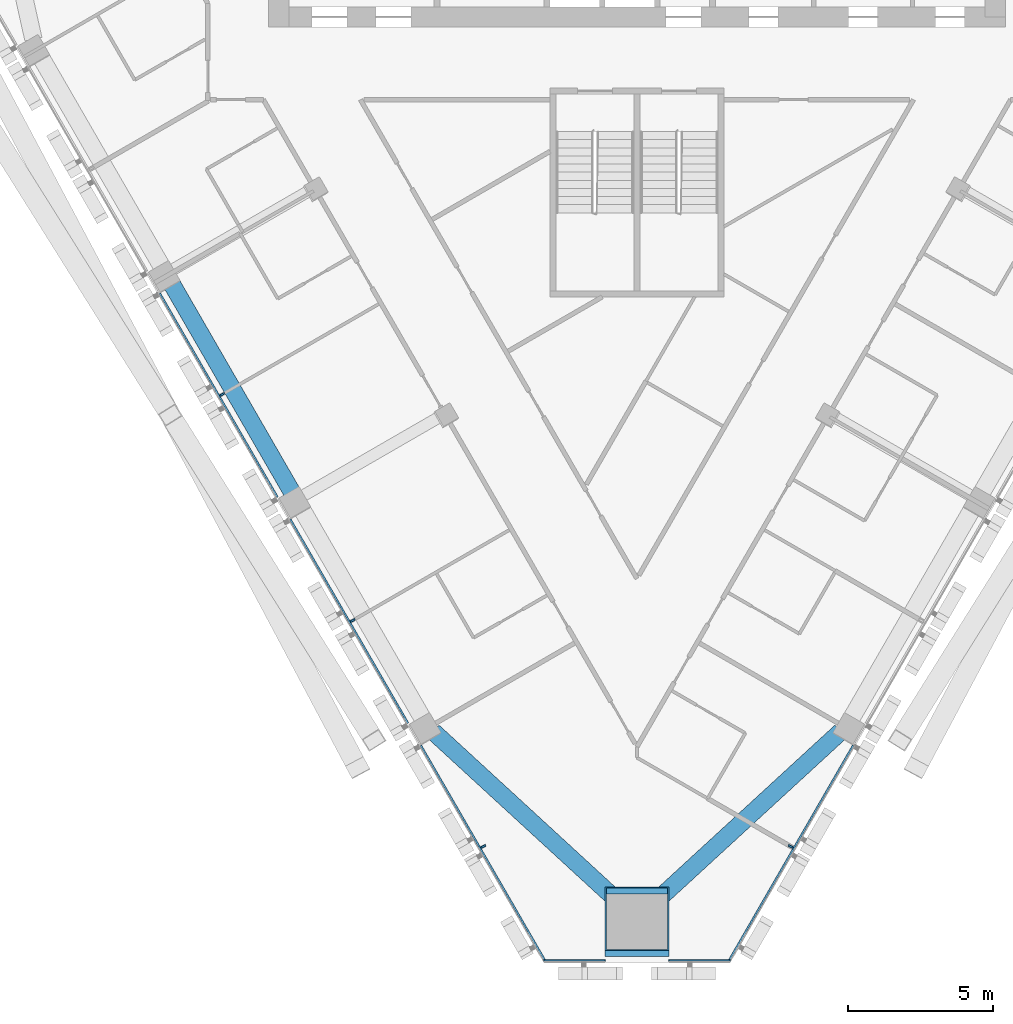
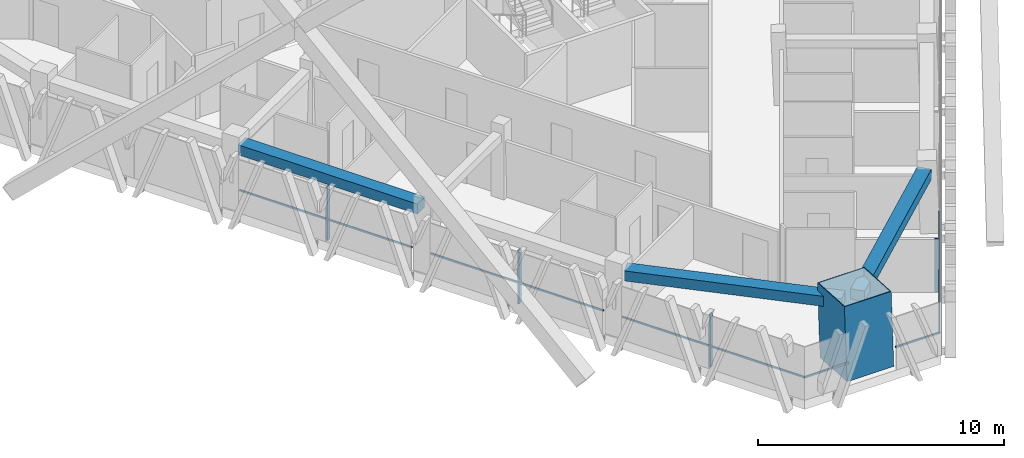
# One storey, part 2 of 17: 11 members, 3 beams, 3 elements without a shape of their own.
"""IFC4 building model written with IfcOpenShell, lengths in metres."""

from ifc_helpers import new_model, si_unit, direction, frame, origin, origin_2d, place, context, subcontext, project, spatial, rectangle, hollow_rectangle, extrude, material, layer, layer_set, material_profile, profile_set, type_object, element, aggregate, save


model = new_model("IFC4")

# Units and contexts
model_context = context("Model", 3, precision=1e-05, world=origin(), true_north=direction((0.0, 1.0)))
body_context = subcontext(model_context, "Body", "Model", "MODEL_VIEW")
ifc_project = project(units=[si_unit("LENGTHUNIT", "METRE"), si_unit("AREAUNIT", "SQUARE_METRE"), si_unit("VOLUMEUNIT", "CUBIC_METRE"), si_unit("PLANEANGLEUNIT", "RADIAN"), si_unit("MASSUNIT", "GRAM", prefix="KILO")], contexts=[model_context])

# Site, building, storey
site_placement = place(None, origin())
site = spatial("IfcSite", under=ifc_project, at=site_placement, CompositionType="ELEMENT")
building_placement = place(site_placement, origin())
building = spatial("IfcBuilding", under=site, at=building_placement, Name="Altiplano Prism Tower", CompositionType="ELEMENT")
storey_placement = place(building_placement, frame((0.0, 0.0, 194.39990234375)))
storey = spatial("IfcBuildingStorey", under=building, at=storey_placement, Name="L50", CompositionType="ELEMENT", Elevation=194.39990234375)

# Curtain wall, members
ifc_material_1 = material(Name="Aluminium and glass", Category="aluminium")
ifc_layer = layer(ifc_material_1, 0.280029296875)
ifc_layer_set = layer_set([ifc_layer], Name="Aluminium and glass")
curtain_wall_type = type_object("IfcCurtainWallType", Name="CW1 typical co-living unitised curtain wall", PredefinedType="NOTDEFINED", material=ifc_layer_set)
curtain_wall_1_placement = place(storey_placement, origin())
curtain_wall_1 = element("IfcCurtainWall", 1, at=curtain_wall_1_placement, inside=storey, type_object=curtain_wall_type, Name="CW1 curtain wall south-west face L50", PredefinedType="NOTDEFINED")
ifc_material_2 = material(Name="Aluminium", Category="aluminium")
ifc_material_profile_1 = material_profile(ifc_material_2, rectangle(XDim=0.179931640625, YDim=0.06494140625, at=origin_2d()), Name="CW1 mullion 65 x 180")
ifc_profile_set_1 = profile_set([ifc_material_profile_1], Name="Aluminium")
member_type_1 = type_object("IfcMemberType", Name="CW1 mullion 65 x 180", PredefinedType="MULLION", material=ifc_profile_set_1)
member_1_placement = place(storey_placement, frame((70.697509765625, 80.037353515625, 0.0), z_axis=(0.0, 0.0, 1.0), x_axis=(0.866025410146, 0.499999988981, 0.0)))
member_1 = element("IfcMember", 2, at=member_1_placement, type_object=member_type_1, Name="CW1 mullion", PredefinedType="MULLION", context=body_context, shape_type="SweptSolid", body=[
    extrude(rectangle(XDim=0.179931640625, YDim=0.06494140625, at=origin_2d()), origin(), (0.0, 0.0, 1.0), 2.650146484375),
])
member_2_placement = place(storey_placement, frame((75.197509765625, 72.2431640625, 0.0), z_axis=(0.0, 0.0, 1.0), x_axis=(0.866025410146, 0.499999988981, 0.0)))
member_2 = element("IfcMember", 3, at=member_2_placement, type_object=member_type_1, Name="CW1 mullion", PredefinedType="MULLION", context=body_context, shape_type="SweptSolid", body=[
    extrude(rectangle(XDim=0.179931640625, YDim=0.06494140625, at=origin_2d()), origin(), (0.0, 0.0, 1.0), 2.650146484375),
])
member_3_placement = place(storey_placement, frame((79.697509765625, 64.448974609375, 0.0), z_axis=(0.0, 0.0, 1.0), x_axis=(0.866025410146, 0.499999988981, 0.0)))
member_3 = element("IfcMember", 4, at=member_3_placement, type_object=member_type_1, Name="CW1 mullion", PredefinedType="MULLION", context=body_context, shape_type="SweptSolid", body=[
    extrude(rectangle(XDim=0.179931640625, YDim=0.06494140625, at=origin_2d()), origin(), (0.0, 0.0, 1.0), 2.650146484375),
])

# Curtain wall, member
curtain_wall_2_placement = place(storey_placement, origin())
curtain_wall_2 = element("IfcCurtainWall", 5, at=curtain_wall_2_placement, inside=storey, type_object=curtain_wall_type, Name="CW1 curtain wall south-east face L50", PredefinedType="NOTDEFINED")
member_4_placement = place(storey_placement, frame((90.302490234375, 64.448974609375, 0.0), z_axis=(0.0, 0.0, 1.0), x_axis=(-0.866025410146, 0.499999988981, 0.0)))
member_4 = element("IfcMember", 6, at=member_4_placement, type_object=member_type_1, Name="CW1 mullion", PredefinedType="MULLION", context=body_context, shape_type="SweptSolid", body=[
    extrude(rectangle(XDim=0.179931640625, YDim=0.06494140625, at=origin_2d()), origin(), (0.0, 0.0, 1.0), 2.650146484375),
])

# Member
ifc_material_profile_2 = material_profile(ifc_material_2, rectangle(XDim=0.06005859375, YDim=0.080078125, at=origin_2d()), Name="CW1 transom 80 x 60")
ifc_profile_set_2 = profile_set([ifc_material_profile_2], Name="Aluminium")
member_type_2 = type_object("IfcMemberType", Name="CW1 transom 80 x 60", PredefinedType="USERDEFINED", material=ifc_profile_set_2)
member_5_placement = place(storey_placement, frame((68.543701171875, 83.528076171875, 1.10009765625), z_axis=(0.499987045439, -0.866032882975, 0.0), x_axis=(0.866032882975, 0.499987045439, 0.0)))
member_5 = element("IfcMember", 7, at=member_5_placement, type_object=member_type_2, Name="CW1 transom", ObjectType="TRANSOM", PredefinedType="USERDEFINED", context=body_context, shape_type="SweptSolid", body=[
    extrude(rectangle(XDim=0.06005859375, YDim=0.080078125, at=origin_2d()), origin(), (0.0, 0.0, 1.0), 8.120361328125),
])

member_6_placement = place(storey_placement, frame((73.043701171875, 75.73388671875, 1.10009765625), z_axis=(0.499987045439, -0.866032882975, 0.0), x_axis=(0.866032882975, 0.499987045439, 0.0)))
member_6 = element("IfcMember", 8, at=member_6_placement, type_object=member_type_2, Name="CW1 transom", ObjectType="TRANSOM", PredefinedType="USERDEFINED", context=body_context, shape_type="SweptSolid", body=[
    extrude(rectangle(XDim=0.06005859375, YDim=0.080078125, at=origin_2d()), origin(), (0.0, 0.0, 1.0), 8.120361328125),
])

member_7_placement = place(storey_placement, frame((77.543701171875, 67.939697265625, 1.10009765625), z_axis=(0.499983358903, -0.866035011313, 0.0), x_axis=(0.866035011313, 0.499983358903, 0.0)))
member_7 = element("IfcMember", 9, at=member_7_placement, type_object=member_type_2, Name="CW1 transom", ObjectType="TRANSOM", PredefinedType="USERDEFINED", context=body_context, shape_type="SweptSolid", body=[
    extrude(rectangle(XDim=0.06005859375, YDim=0.080078125, at=origin_2d()), origin(), (0.0, 0.0, 1.0), 8.613037109375),
])

aggregate(curtain_wall_1, [member_1, member_5, member_2, member_6, member_3, member_7])

# Curtain wall, members
curtain_wall_3_placement = place(storey_placement, origin())
curtain_wall_3 = element("IfcCurtainWall", 10, at=curtain_wall_3_placement, inside=storey, type_object=curtain_wall_type, Name="CW1 curtain wall south chamfer L50", PredefinedType="NOTDEFINED")
member_8_placement = place(storey_placement, frame((81.78955078125, 60.515380859375, 1.10009765625), z_axis=(1.0, 0.0, 0.0), x_axis=(0.0, 1.0, 0.0)))
member_8 = element("IfcMember", 11, at=member_8_placement, type_object=member_type_2, Name="CW1 transom", ObjectType="TRANSOM", PredefinedType="USERDEFINED", context=body_context, shape_type="SweptSolid", body=[
    extrude(rectangle(XDim=0.06005859375, YDim=0.080078125, at=origin_2d()), origin(), (0.0, 0.0, 1.0), 2.1103515625),
])
member_9_placement = place(storey_placement, frame((86.10009765625, 60.515380859375, 1.10009765625), z_axis=(1.0, 0.0, 0.0), x_axis=(0.0, 1.0, 0.0)))
member_9 = element("IfcMember", 12, at=member_9_placement, type_object=member_type_2, Name="CW1 transom", ObjectType="TRANSOM", PredefinedType="USERDEFINED", context=body_context, shape_type="SweptSolid", body=[
    extrude(rectangle(XDim=0.06005859375, YDim=0.080078125, at=origin_2d()), origin(), (0.0, 0.0, 1.0), 2.1103515625),
])
aggregate(curtain_wall_3, [member_8, member_9])

# Member
member_10_placement = place(storey_placement, frame((88.14990234375, 60.48046875, 1.10009765625), z_axis=(0.499983358903, 0.866035011313, 0.0), x_axis=(-0.866035011313, 0.499983358903, 0.0)))
member_10 = element("IfcMember", 13, at=member_10_placement, type_object=member_type_2, Name="CW1 transom", ObjectType="TRANSOM", PredefinedType="USERDEFINED", context=body_context, shape_type="SweptSolid", body=[
    extrude(rectangle(XDim=0.06005859375, YDim=0.080078125, at=origin_2d()), origin(), (0.0, 0.0, 1.0), 8.613037109375),
])

aggregate(curtain_wall_2, [member_4, member_10])

# Beams
ifc_material_3 = material(Name="Concrete C60/75", Category="concrete")
ifc_material_profile_3 = material_profile(ifc_material_3, rectangle(XDim=0.60009765625, YDim=0.5, at=origin_2d()), Name="Edge beam 600x500")
ifc_profile_set_3 = profile_set([ifc_material_profile_3], Name="Concrete C60/75")
beam_type = type_object("IfcBeamType", Name="Edge beam 600x500", PredefinedType="SPANDREL", material=ifc_profile_set_3)
beam_placement = place(storey_placement, frame((68.892578125, 83.96044921875, 2.900146484375), z_axis=(0.500027935199, -0.866009274789, 0.0), x_axis=(0.866009274789, 0.500027935199, 0.0)))
element("IfcBeam", 14, at=beam_placement, inside=storey, type_object=beam_type, Name="Edge beam P12-P13 L51", PredefinedType="SPANDREL", context=body_context, shape_type="SweptSolid", body=[
    extrude(rectangle(XDim=0.60009765625, YDim=0.5, at=origin_2d()), origin(), (0.0, 0.0, 1.0), 8.43994140625),
])
for number, where, z_axis, x_axis, name in (
    (15, (77.97314453125, 68.412109375, 2.900146484375), (0.73637235134, -0.676576499874, 0.0), (0.676576499874, 0.73637235134, 0.0), "Edge beam P14-M1 L51"),
    (16, (85.331298828125, 62.26025390625, 2.900146484375), (0.73637235134, 0.676576499874, 0.0), (-0.676576499874, 0.73637235134, 0.0), "Edge beam M1-P21 L51"),
):
    element("IfcBeam", number, at=place(storey_placement, frame(where, z_axis=z_axis, x_axis=x_axis)), inside=storey, type_object=beam_type, Name=name, PredefinedType="SPANDREL", context=body_context, shape_type="SweptSolid", body=[
        extrude(rectangle(XDim=0.60009765625, YDim=0.5, at=origin_2d()), origin(), (0.0, 0.0, 1.0), 9.092529296875),
    ])

# Member
ifc_material_4 = material(Name="Steel S460", Category="steel")
ifc_material_profile_4 = material_profile(ifc_material_4, hollow_rectangle(XDim=2.199951171875, YDim=2.199951171875, WallThickness=0.0400390625, at=origin_2d()), Name="Mega column tube 2200")
ifc_profile_set_4 = profile_set([ifc_material_profile_4], Name="Steel S460")
member_type_3 = type_object("IfcMemberType", Name="Mega column tube 2200", PredefinedType="POST", material=ifc_profile_set_4)
member_11_placement = place(storey_placement, frame((85.0, 61.745361328125, 0.0), z_axis=(0.0, 0.058356907999, 0.998295783467), x_axis=(-1.0, 0.0, 0.0)))
element("IfcMember", 17, at=member_11_placement, inside=storey, type_object=member_type_3, Name="Mega column tube M1 L50", PredefinedType="POST", context=body_context, shape_type="SweptSolid", body=[
    extrude(hollow_rectangle(XDim=2.199951171875, YDim=2.199951171875, WallThickness=0.0400390625, at=origin_2d()), origin(), (0.0, 0.0, 1.0), 3.606201171875),
])

save(model, "model.ifc")
